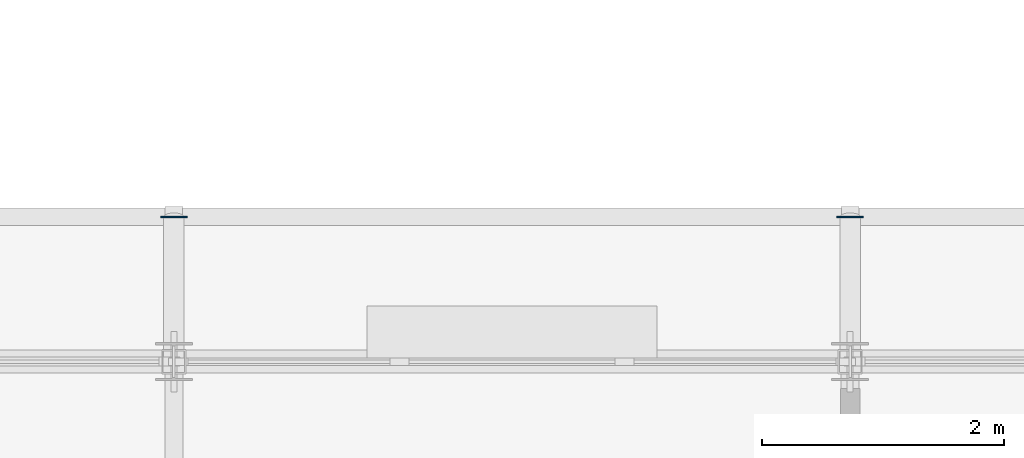
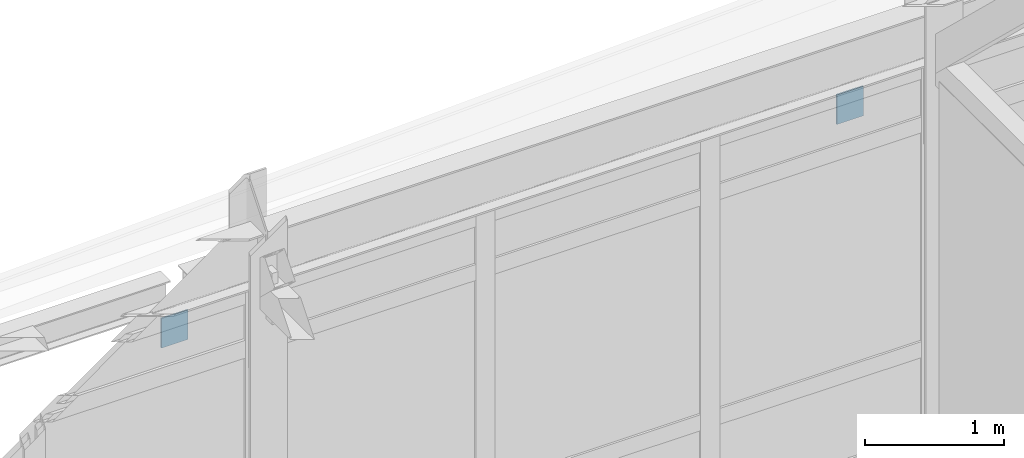
# One storey, part 114 of 144: 2 plates.
"""IFC4 building model written with IfcOpenShell, lengths in metres."""

from ifc_helpers import new_model, si_unit, direction, frame, origin, origin_2d, place, context, subcontext, project, spatial, rectangle, extrude, material, layer, layer_set, type_object, element, save


model = new_model("IFC4")

# Units and contexts
model_context = context("Model", 3, precision=1e-05, world=origin(), true_north=direction((0.0, 1.0)))
body_context = subcontext(model_context, "Body", "Model", "MODEL_VIEW")
ifc_project = project(units=[si_unit("LENGTHUNIT", "METRE"), si_unit("AREAUNIT", "SQUARE_METRE"), si_unit("VOLUMEUNIT", "CUBIC_METRE"), si_unit("PLANEANGLEUNIT", "RADIAN"), si_unit("MASSUNIT", "GRAM", prefix="KILO")], contexts=[model_context])

# Site, building, storey
site_placement = place(None, origin())
site = spatial("IfcSite", under=ifc_project, at=site_placement, CompositionType="ELEMENT")
building_placement = place(site_placement, origin())
building = spatial("IfcBuilding", under=site, at=building_placement, Name="Trelmorton Wharf Fire Station", CompositionType="ELEMENT")
storey_placement = place(building_placement, frame((0.0, 0.0, 5.39990234375)))
storey = spatial("IfcBuildingStorey", under=building, at=storey_placement, Name="L01", CompositionType="ELEMENT", Elevation=5.39990234375)

# Plates
ifc_material = material(Name="Steel Grade 350", Category="steel")
ifc_layer = layer(ifc_material, 0.011962890625)
ifc_layer_set = layer_set([ifc_layer], Name="Steel Grade 350")
plate_type = type_object("IfcPlateType", Name="PL_ENDCAP_12", PredefinedType="SHEET", material=ifc_layer_set)
for number, where, z_axis, x_axis, name in (
    (1, (23.199951171875, 35.39990234375, 2.076171875), (0.0, 0.0, 1.0), (1.0, 0.0, 0.0), "PL-EC-0019"),
    (2, (28.800048828125, 35.39990234375, 2.076171875), (0.0, 0.0, 1.0), (1.0, 0.0, 0.0), "PL-EC-0023"),
):
    element("IfcPlate", number, at=place(storey_placement, frame(where, z_axis=z_axis, x_axis=x_axis)), inside=storey, type_object=plate_type, Name=name, PredefinedType="SHEET", context=body_context, shape_type="SweptSolid", body=[
        extrude(rectangle(XDim=0.219970703125, YDim=0.011962890625, at=origin_2d()), origin(), (0.0, 0.0, 1.0), 0.260009765625),
    ])

save(model, "model.ifc")
